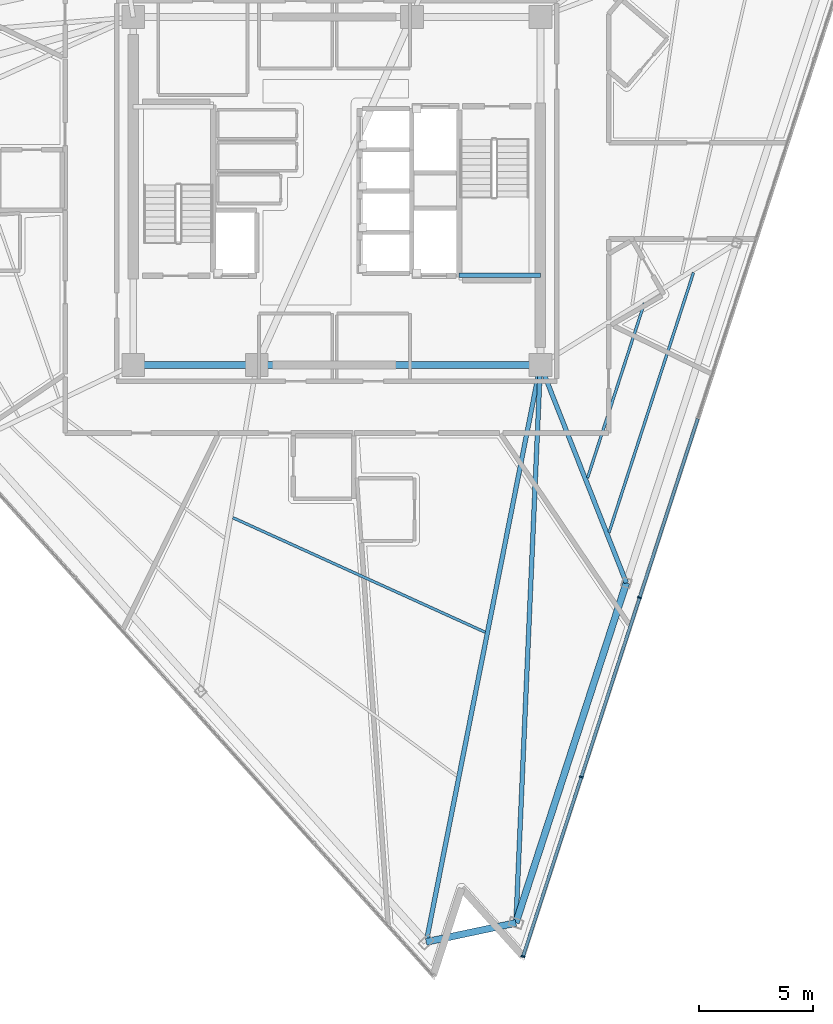
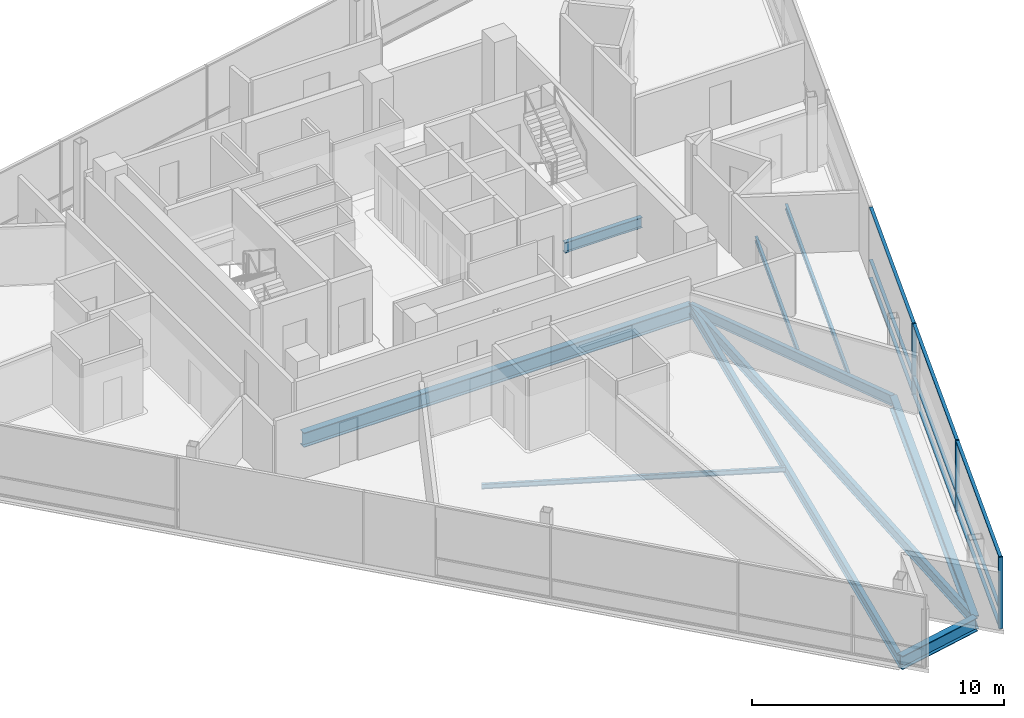
# One storey, part 4 of 18: 12 members, 11 beams, 1 element without a shape of its own.
"""IFC4 building model written with IfcOpenShell, lengths in metres."""

from ifc_helpers import new_model, si_unit, direction, frame, origin, origin_2d, place, context, subcontext, project, spatial, rectangle, i_section, extrude, material, layer, layer_set, material_profile, profile_set, type_object, element, aggregate, save


model = new_model("IFC4")

# Units and contexts
model_context = context("Model", 3, precision=1e-05, world=origin(), true_north=direction((0.0, 1.0)))
body_context = subcontext(model_context, "Body", "Model", "MODEL_VIEW")
ifc_project = project(units=[si_unit("LENGTHUNIT", "METRE"), si_unit("AREAUNIT", "SQUARE_METRE"), si_unit("VOLUMEUNIT", "CUBIC_METRE"), si_unit("PLANEANGLEUNIT", "RADIAN"), si_unit("MASSUNIT", "GRAM", prefix="KILO")], contexts=[model_context])

# Site, building, storey
site_placement = place(None, origin())
site = spatial("IfcSite", under=ifc_project, at=site_placement, CompositionType="ELEMENT")
building_placement = place(site_placement, origin())
building = spatial("IfcBuilding", under=site, at=building_placement, Name="Tharavind Bronze Gate", CompositionType="ELEMENT")
storey_placement = place(building_placement, frame((0.0, 0.0, 287.050048828125)))
storey = spatial("IfcBuildingStorey", under=building, at=storey_placement, Name="L74", CompositionType="ELEMENT", Elevation=287.050048828125)

# Curtain wall, members
ifc_material_1 = material(Name="Anodised Bronze Aluminium", Category="aluminium")
ifc_layer = layer(ifc_material_1, 0.219970703125)
ifc_layer_set = layer_set([ifc_layer], Name="Anodised Bronze Aluminium")
curtain_wall_type = type_object("IfcCurtainWallType", Name="UNITISED CURTAIN WALL CROWN", PredefinedType="USERDEFINED", material=ifc_layer_set)
curtain_wall_placement = place(storey_placement, origin())
curtain_wall = element("IfcCurtainWall", 1, at=curtain_wall_placement, inside=storey, type_object=curtain_wall_type, Name="L74 unitised curtain wall crown CW-L74-S2", ObjectType="UNITISED CURTAIN WALL", PredefinedType="USERDEFINED")
member_type_1 = type_object("IfcMemberType", Name="CURTAIN WALL BRONZE MULLION 65X180", PredefinedType="MULLION", material=ifc_material_1)
member_1_placement = place(storey_placement, frame((8.14111328125, -33.462646484375, 0.0), z_axis=(0.0, 0.0, 1.0), x_axis=(0.309016994375, 0.951056516295, 0.0)))
member_1 = element("IfcMember", 2, at=member_1_placement, type_object=member_type_1, Name="CW-L74-S2 mullion 1", PredefinedType="MULLION", context=body_context, shape_type="SweptSolid", body=[
    extrude(rectangle(XDim=0.06494140625, YDim=0.179931640625, at=origin_2d()), origin(), (0.0, 0.0, 1.0), 3.465087890625),
])
member_2_placement = place(storey_placement, frame((10.68994140625, -25.618408203125, 0.0), z_axis=(0.0, 0.0, 1.0), x_axis=(0.309016994375, 0.951056516295, 0.0)))
member_2 = element("IfcMember", 3, at=member_2_placement, type_object=member_type_1, Name="CW-L74-S2 mullion 2", PredefinedType="MULLION", context=body_context, shape_type="SweptSolid", body=[
    extrude(rectangle(XDim=0.06494140625, YDim=0.179931640625, at=origin_2d()), origin(), (0.0, 0.0, 1.0), 3.465087890625),
])
member_3_placement = place(storey_placement, frame((13.23876953125, -17.77392578125, 0.0), z_axis=(0.0, 0.0, 1.0), x_axis=(0.309016994375, 0.951056516295, 0.0)))
member_3 = element("IfcMember", 4, at=member_3_placement, type_object=member_type_1, Name="CW-L74-S2 mullion 3", PredefinedType="MULLION", context=body_context, shape_type="SweptSolid", body=[
    extrude(rectangle(XDim=0.06494140625, YDim=0.179931640625, at=origin_2d()), origin(), (0.0, 0.0, 1.0), 3.465087890625),
])
member_type_2 = type_object("IfcMemberType", Name="CURTAIN WALL BRONZE TRANSOM 65X140", PredefinedType="USERDEFINED", material=ifc_material_1)
member_4_placement = place(storey_placement, frame((9.41552734375, -29.54052734375, 0.0), z_axis=(0.0, 0.0, 1.0), x_axis=(0.309016994375, 0.951056516295, 0.0)))
member_4 = element("IfcMember", 5, at=member_4_placement, type_object=member_type_2, Name="CW-L74-S2 transom TB1", ObjectType="TRANSOM", PredefinedType="USERDEFINED", context=body_context, shape_type="SweptSolid", body=[
    extrude(rectangle(XDim=8.195068359375, YDim=0.139892578125, at=origin_2d()), origin(), (0.0, 0.0, 1.0), 0.06494140625),
])
member_5_placement = place(storey_placement, frame((9.41552734375, -29.54052734375, 0.867431640625), z_axis=(0.0, 0.0, 1.0), x_axis=(0.309016994375, 0.951056516295, 0.0)))
member_5 = element("IfcMember", 6, at=member_5_placement, type_object=member_type_2, Name="CW-L74-S2 transom TS1", ObjectType="TRANSOM", PredefinedType="USERDEFINED", context=body_context, shape_type="SweptSolid", body=[
    extrude(rectangle(XDim=8.195068359375, YDim=0.139892578125, at=origin_2d()), origin(), (0.0, 0.0, 1.0), 0.06494140625),
])
member_6_placement = place(storey_placement, frame((9.41552734375, -29.54052734375, 3.39990234375), z_axis=(0.0, 0.0, 1.0), x_axis=(0.309016994375, 0.951056516295, 0.0)))
member_6 = element("IfcMember", 7, at=member_6_placement, type_object=member_type_2, Name="CW-L74-S2 transom TT1", ObjectType="TRANSOM", PredefinedType="USERDEFINED", context=body_context, shape_type="SweptSolid", body=[
    extrude(rectangle(XDim=8.195068359375, YDim=0.139892578125, at=origin_2d()), origin(), (0.0, 0.0, 1.0), 0.06494140625),
])
member_7_placement = place(storey_placement, frame((11.96435546875, -21.6962890625, 0.0), z_axis=(0.0, 0.0, 1.0), x_axis=(0.309016994375, 0.951056516295, 0.0)))
member_7 = element("IfcMember", 8, at=member_7_placement, type_object=member_type_2, Name="CW-L74-S2 transom TB2", ObjectType="TRANSOM", PredefinedType="USERDEFINED", context=body_context, shape_type="SweptSolid", body=[
    extrude(rectangle(XDim=8.195068359375, YDim=0.139892578125, at=origin_2d()), origin(), (0.0, 0.0, 1.0), 0.06494140625),
])
member_8_placement = place(storey_placement, frame((11.96435546875, -21.6962890625, 0.867431640625), z_axis=(0.0, 0.0, 1.0), x_axis=(0.309016994375, 0.951056516295, 0.0)))
member_8 = element("IfcMember", 9, at=member_8_placement, type_object=member_type_2, Name="CW-L74-S2 transom TS2", ObjectType="TRANSOM", PredefinedType="USERDEFINED", context=body_context, shape_type="SweptSolid", body=[
    extrude(rectangle(XDim=8.195068359375, YDim=0.139892578125, at=origin_2d()), origin(), (0.0, 0.0, 1.0), 0.06494140625),
])
member_9_placement = place(storey_placement, frame((11.96435546875, -21.6962890625, 3.39990234375), z_axis=(0.0, 0.0, 1.0), x_axis=(0.309016994375, 0.951056516295, 0.0)))
member_9 = element("IfcMember", 10, at=member_9_placement, type_object=member_type_2, Name="CW-L74-S2 transom TT2", ObjectType="TRANSOM", PredefinedType="USERDEFINED", context=body_context, shape_type="SweptSolid", body=[
    extrude(rectangle(XDim=8.195068359375, YDim=0.139892578125, at=origin_2d()), origin(), (0.0, 0.0, 1.0), 0.06494140625),
])
member_10_placement = place(storey_placement, frame((14.51318359375, -13.851806640625, 0.0), z_axis=(0.0, 0.0, 1.0), x_axis=(0.309016994375, 0.951056516295, 0.0)))
member_10 = element("IfcMember", 11, at=member_10_placement, type_object=member_type_2, Name="CW-L74-S2 transom TB3", ObjectType="TRANSOM", PredefinedType="USERDEFINED", context=body_context, shape_type="SweptSolid", body=[
    extrude(rectangle(XDim=8.195068359375, YDim=0.139892578125, at=origin_2d()), origin(), (0.0, 0.0, 1.0), 0.06494140625),
])
member_11_placement = place(storey_placement, frame((14.51318359375, -13.851806640625, 0.867431640625), z_axis=(0.0, 0.0, 1.0), x_axis=(0.309016994375, 0.951056516295, 0.0)))
member_11 = element("IfcMember", 12, at=member_11_placement, type_object=member_type_2, Name="CW-L74-S2 transom TS3", ObjectType="TRANSOM", PredefinedType="USERDEFINED", context=body_context, shape_type="SweptSolid", body=[
    extrude(rectangle(XDim=8.195068359375, YDim=0.139892578125, at=origin_2d()), origin(), (0.0, 0.0, 1.0), 0.06494140625),
])
member_12_placement = place(storey_placement, frame((14.51318359375, -13.851806640625, 3.39990234375), z_axis=(0.0, 0.0, 1.0), x_axis=(0.309016994375, 0.951056516295, 0.0)))
member_12 = element("IfcMember", 13, at=member_12_placement, type_object=member_type_2, Name="CW-L74-S2 transom TT3", ObjectType="TRANSOM", PredefinedType="USERDEFINED", context=body_context, shape_type="SweptSolid", body=[
    extrude(rectangle(XDim=8.195068359375, YDim=0.139892578125, at=origin_2d()), origin(), (0.0, 0.0, 1.0), 0.06494140625),
])
aggregate(curtain_wall, [member_1, member_2, member_3, member_4, member_5, member_6, member_7, member_8, member_9, member_10, member_11, member_12])

# Beams
ifc_material_2 = material(Name="Steel S355", Category="steel")
ifc_material_profile_1 = material_profile(ifc_material_2, i_section(OverallWidth=0.300048828125, OverallDepth=0.64990234375, WebThickness=0.01611328125, FlangeThickness=0.031005859375, at=origin_2d()), Name="HE650B")
ifc_profile_set_1 = profile_set([ifc_material_profile_1], Name="Steel S355")
beam_type_1 = type_object("IfcBeamType", Name="PRIMARY GIRDER HE650B", PredefinedType="USERDEFINED", material=ifc_profile_set_1)
beam_1_placement = place(storey_placement, frame((3.908935546875, -32.82861328125, -0.510009765625), z_axis=(0.978162875873, 0.207839813954, 0.0), x_axis=(-0.207839813954, 0.978162875873, 0.0)))
element("IfcBeam", 14, at=beam_1_placement, inside=storey, type_object=beam_type_1, Name="L74 primary girder he650b BM-L74-PRG04", ObjectType="GIRDER", PredefinedType="USERDEFINED", context=body_context, shape_type="SweptSolid", body=[
    extrude(i_section(OverallWidth=0.300048828125, OverallDepth=0.64990234375, WebThickness=0.01611328125, FlangeThickness=0.031005859375, at=origin_2d()), origin(), (0.0, 0.0, 1.0), 4.0078125),
])
beam_2_placement = place(storey_placement, frame((7.829345703125, -31.99560546875, -0.510009765625), z_axis=(0.309011547215, 0.951058286168, 0.0), x_axis=(-0.951058286168, 0.309011547215, 0.0)))
element("IfcBeam", 15, at=beam_2_placement, inside=storey, type_object=beam_type_1, Name="L74 primary girder he650b BM-L74-PRG05", ObjectType="GIRDER", PredefinedType="USERDEFINED", context=body_context, shape_type="SweptSolid", body=[
    extrude(i_section(OverallWidth=0.300048828125, OverallDepth=0.64990234375, WebThickness=0.01611328125, FlangeThickness=0.031005859375, at=origin_2d()), origin(), (0.0, 0.0, 1.0), 15.6298828125),
])
ifc_material_profile_2 = material_profile(ifc_material_2, i_section(OverallWidth=0.199951171875, OverallDepth=0.5, WebThickness=0.01025390625, FlangeThickness=0.01611328125, at=origin_2d()), Name="IPE500")
ifc_profile_set_2 = profile_set([ifc_material_profile_2], Name="Steel S355")
beam_type_2 = type_object("IfcBeamType", Name="PRIMARY GIRDER IPE500", PredefinedType="USERDEFINED", material=ifc_profile_set_2)
beam_3_placement = place(storey_placement, frame((5.35009765625, -3.679931640625, 1.375), z_axis=(1.0, 0.0, 0.0), x_axis=(0.0, 1.0, 0.0)))
element("IfcBeam", 16, at=beam_3_placement, inside=storey, type_object=beam_type_2, Name="L74 primary girder ipe500 BM-LD-ST2-L74-1", ObjectType="GIRDER", PredefinedType="USERDEFINED", context=body_context, shape_type="SweptSolid", body=[
    extrude(i_section(OverallWidth=0.199951171875, OverallDepth=0.5, WebThickness=0.01025390625, FlangeThickness=0.01611328125, at=origin_2d()), origin(), (0.0, 0.0, 1.0), 3.5498046875),
])
beam_4_placement = place(storey_placement, frame((3.908935546875, -32.82861328125, -0.43505859375), z_axis=(0.194069196249, 0.980987842467, 0.0), x_axis=(-0.980987842467, 0.194069196249, 0.0)))
element("IfcBeam", 17, at=beam_4_placement, inside=storey, type_object=beam_type_2, Name="L74 primary girder ipe500 BM-L74-RAD04", ObjectType="GIRDER", PredefinedType="USERDEFINED", context=body_context, shape_type="SweptSolid", body=[
    extrude(i_section(OverallWidth=0.199951171875, OverallDepth=0.5, WebThickness=0.01025390625, FlangeThickness=0.01611328125, at=origin_2d()), origin(), (0.0, 0.0, 1.0), 25.717529296875),
])
beam_5_placement = place(storey_placement, frame((7.829345703125, -31.99560546875, -0.43505859375), z_axis=(0.043841158128, 0.9990385142, 0.0), x_axis=(-0.9990385142, 0.043841158128, 0.0)))
element("IfcBeam", 18, at=beam_5_placement, inside=storey, type_object=beam_type_2, Name="L74 primary girder ipe500 BM-L74-RAD05", ObjectType="GIRDER", PredefinedType="USERDEFINED", context=body_context, shape_type="SweptSolid", body=[
    extrude(i_section(OverallWidth=0.199951171875, OverallDepth=0.5, WebThickness=0.01025390625, FlangeThickness=0.01611328125, at=origin_2d()), origin(), (0.0, 0.0, 1.0), 24.4189453125),
])
beam_6_placement = place(storey_placement, frame((12.6591796875, -17.130615234375, -0.43505859375), z_axis=(-0.366932678931, 0.930247498859, 0.0), x_axis=(-0.930247498859, -0.366932678931, 0.0)))
element("IfcBeam", 19, at=beam_6_placement, inside=storey, type_object=beam_type_2, Name="L74 primary girder ipe500 BM-L74-RAD06", ObjectType="GIRDER", PredefinedType="USERDEFINED", context=body_context, shape_type="SweptSolid", body=[
    extrude(i_section(OverallWidth=0.199951171875, OverallDepth=0.5, WebThickness=0.01025390625, FlangeThickness=0.01611328125, at=origin_2d()), origin(), (0.0, 0.0, 1.0), 10.2451171875),
])
ifc_material_profile_3 = material_profile(ifc_material_2, i_section(OverallWidth=0.300048828125, OverallDepth=0.699951171875, WebThickness=0.01708984375, FlangeThickness=0.031982421875, at=origin_2d()), Name="HE700B")
ifc_profile_set_3 = profile_set([ifc_material_profile_3], Name="Steel S355")
beam_type_3 = type_object("IfcBeamType", Name="RING GIRDER HE700B", PredefinedType="USERDEFINED", material=ifc_profile_set_3)
beam_7_placement = place(storey_placement, frame((-8.89990234375, -7.60009765625, -0.53515625), z_axis=(1.0, 0.0, 0.0), x_axis=(0.0, 1.0, 0.0)))
element("IfcBeam", 20, at=beam_7_placement, inside=storey, type_object=beam_type_3, Name="L74 ring girder he700b BM-L74-CR1", ObjectType="GIRDER", PredefinedType="USERDEFINED", context=body_context, shape_type="SweptSolid", body=[
    extrude(i_section(OverallWidth=0.300048828125, OverallDepth=0.699951171875, WebThickness=0.01708984375, FlangeThickness=0.031982421875, at=origin_2d()), origin(), (0.0, 0.0, 1.0), 5.39990234375),
])
beam_8_placement = place(storey_placement, frame((-3.5, -7.60009765625, -0.53515625), z_axis=(1.0, 0.0, 0.0), x_axis=(0.0, 1.0, 0.0)))
element("IfcBeam", 21, at=beam_8_placement, inside=storey, type_object=beam_type_3, Name="L74 ring girder he700b BM-L74-CR2", ObjectType="GIRDER", PredefinedType="USERDEFINED", context=body_context, shape_type="SweptSolid", body=[
    extrude(i_section(OverallWidth=0.300048828125, OverallDepth=0.699951171875, WebThickness=0.01708984375, FlangeThickness=0.031982421875, at=origin_2d()), origin(), (0.0, 0.0, 1.0), 12.39990234375),
])
ifc_material_profile_4 = material_profile(ifc_material_2, i_section(OverallWidth=0.1201171875, OverallDepth=0.239990234375, WebThickness=0.006103515625, FlangeThickness=0.009765625, at=origin_2d()), Name="IPE240")
ifc_profile_set_4 = profile_set([ifc_material_profile_4], Name="Steel S355")
beam_type_4 = type_object("IfcBeamType", Name="SECONDARY FLOOR JOIST IPE240", PredefinedType="JOIST", material=ifc_profile_set_4)
beam_9_placement = place(storey_placement, frame((-4.543212890625, -14.2822265625, -0.304931640625), z_axis=(0.910570075217, -0.413354736419, 0.0), x_axis=(0.413354736419, 0.910570075217, 0.0)))
element("IfcBeam", 22, at=beam_9_placement, inside=storey, type_object=beam_type_4, Name="L74 secondary floor joist ipe240 BM-L74-JSTA03", PredefinedType="JOIST", context=body_context, shape_type="SweptSolid", body=[
    extrude(i_section(OverallWidth=0.1201171875, OverallDepth=0.239990234375, WebThickness=0.006103515625, FlangeThickness=0.009765625, at=origin_2d()), origin(), (0.0, 0.0, 1.0), 12.10791015625),
])
beam_10_placement = place(storey_placement, frame((10.9609375, -12.545654296875, -0.304931640625), z_axis=(0.309014681119, 0.951057267914, 0.0), x_axis=(-0.951057267914, 0.309014681119, 0.0)))
element("IfcBeam", 23, at=beam_10_placement, inside=storey, type_object=beam_type_4, Name="L74 secondary floor joist ipe240 BM-L74-JSTA06", PredefinedType="JOIST", context=body_context, shape_type="SweptSolid", body=[
    extrude(i_section(OverallWidth=0.1201171875, OverallDepth=0.239990234375, WebThickness=0.006103515625, FlangeThickness=0.009765625, at=origin_2d()), origin(), (0.0, 0.0, 1.0), 8.0419921875),
])
beam_11_placement = place(storey_placement, frame((11.90087890625, -14.92822265625, -0.304931640625), z_axis=(0.309022779796, 0.951054636478, 0.0), x_axis=(-0.951054636478, 0.309022779796, 0.0)))
element("IfcBeam", 24, at=beam_11_placement, inside=storey, type_object=beam_type_4, Name="L74 secondary floor joist ipe240 BM-L74-JSTB06", PredefinedType="JOIST", context=body_context, shape_type="SweptSolid", body=[
    extrude(i_section(OverallWidth=0.1201171875, OverallDepth=0.239990234375, WebThickness=0.006103515625, FlangeThickness=0.009765625, at=origin_2d()), origin(), (0.0, 0.0, 1.0), 11.949462890625),
])

save(model, "model.ifc")
